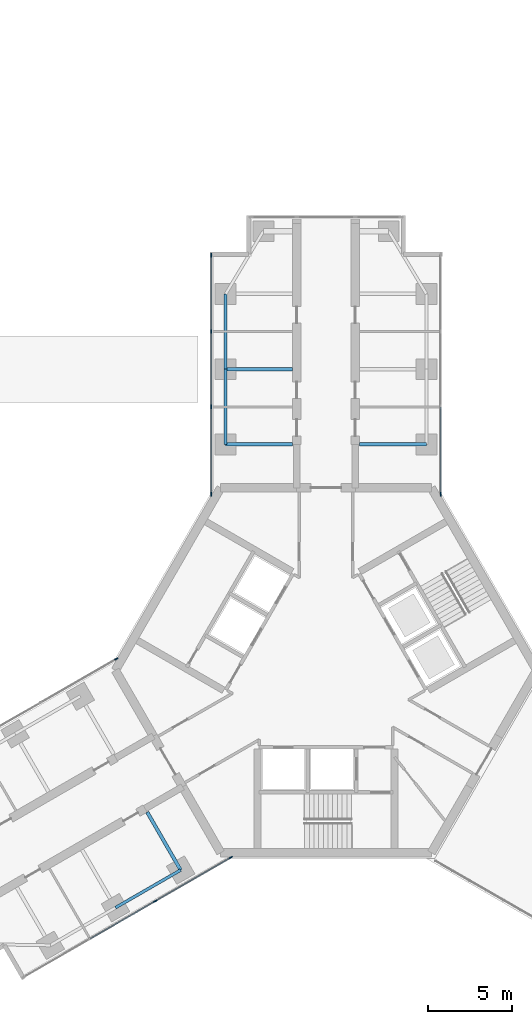
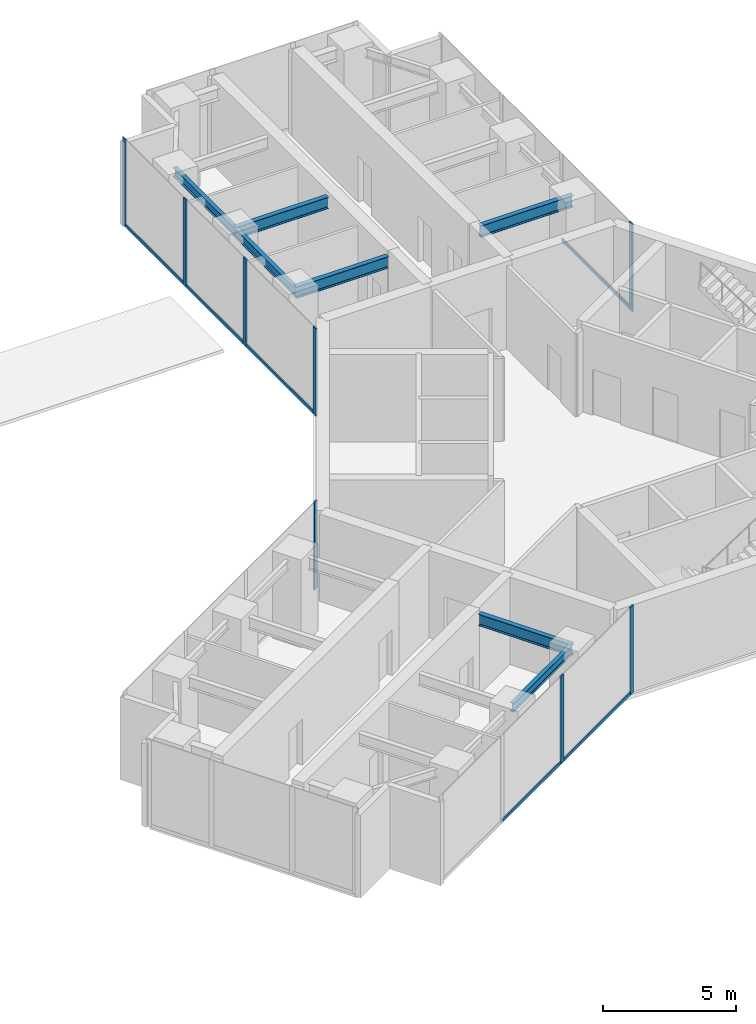
# One storey, part 8 of 18: 14 members, 7 beams, 4 elements without a shape of their own.
"""IFC4 building model written with IfcOpenShell, lengths in metres."""

from ifc_helpers import new_model, si_unit, direction, frame, origin, origin_2d, place, context, subcontext, project, spatial, rectangle, i_section, extrude, material, material_profile, profile_set, type_object, element, aggregate, save


model = new_model("IFC4")

# Units and contexts
model_context = context("Model", 3, precision=1e-05, world=origin(), true_north=direction((0.0, 1.0)))
body_context = subcontext(model_context, "Body", "Model", "MODEL_VIEW")
ifc_project = project(units=[si_unit("LENGTHUNIT", "METRE"), si_unit("AREAUNIT", "SQUARE_METRE"), si_unit("VOLUMEUNIT", "CUBIC_METRE"), si_unit("PLANEANGLEUNIT", "RADIAN"), si_unit("MASSUNIT", "GRAM", prefix="KILO")], contexts=[model_context])

# Site, building, storey
site_placement = place(None, origin())
site = spatial("IfcSite", under=ifc_project, at=site_placement, CompositionType="ELEMENT")
building_placement = place(site_placement, origin())
building = spatial("IfcBuilding", under=site, at=building_placement, Name="Upepo Twin Towers", CompositionType="ELEMENT")
storey_placement = place(building_placement, frame((0.0, 0.0, 170.5)))
storey = spatial("IfcBuildingStorey", under=building, at=storey_placement, Name="L41", CompositionType="ELEMENT", Elevation=170.5)

# Beams
ifc_material_1 = material(Name="Steel S355", Category="steel")
ifc_material_profile_1 = material_profile(ifc_material_1, i_section(OverallWidth=0.177978515625, OverallDepth=0.406494140625, WebThickness=0.0078125, FlangeThickness=0.0126953125, FilletRadius=0.01025390625, at=origin_2d()), Name="UB 406x178x60")
ifc_profile_set_1 = profile_set([ifc_material_profile_1], Name="Steel S355")
beam_type_1 = type_object("IfcBeamType", Name="Beam UB 406x178x60", PredefinedType="BEAM", material=ifc_profile_set_1)
for number, where, z_axis, x_axis, name in (
    (1, (52.5, -4.5, 3.5966796875), (0.0, 1.0, 0.0), (-1.0, 0.0, 0.0), "T2 edge beam AL 13.5-18.0"),
    (2, (52.5, 0.0, 3.5966796875), (0.0, 1.0, 0.0), (-1.0, 0.0, 0.0), "T2 edge beam AL 18.0-22.5"),
):
    element("IfcBeam", number, at=place(storey_placement, frame(where, z_axis=z_axis, x_axis=x_axis)), inside=storey, type_object=beam_type_1, Name=name, PredefinedType="BEAM", context=body_context, shape_type="SweptSolid", body=[
        extrude(i_section(OverallWidth=0.177978515625, OverallDepth=0.406494140625, WebThickness=0.0078125, FlangeThickness=0.0126953125, FilletRadius=0.01025390625, at=origin_2d()), origin(), (0.0, 0.0, 1.0), 4.5),
    ])
beam_placement = place(storey_placement, frame((49.80859375, -29.946044921875, 3.5966796875), z_axis=(-0.866017533419, -0.500013631625, 0.0), x_axis=(0.500013631625, -0.866017533419, 0.0)))
element("IfcBeam", 3, at=beam_placement, inside=storey, type_object=beam_type_1, Name="T2 edge beam BL 13.5-18.0", PredefinedType="BEAM", context=body_context, shape_type="SweptSolid", body=[
    extrude(i_section(OverallWidth=0.177978515625, OverallDepth=0.406494140625, WebThickness=0.0078125, FlangeThickness=0.0126953125, FilletRadius=0.01025390625, at=origin_2d()), origin(), (0.0, 0.0, 1.0), 4.499755859375),
])
ifc_material_2 = material(Name="Steel S355", Category="steel")
ifc_material_profile_2 = material_profile(ifc_material_2, i_section(OverallWidth=0.209228515625, OverallDepth=0.533203125, WebThickness=0.010009765625, FlangeThickness=0.015625, FilletRadius=0.0126953125, at=origin_2d()), Name="UB 533x210x92")
ifc_profile_set_2 = profile_set([ifc_material_profile_2], Name="Steel S355")
beam_type_2 = type_object("IfcBeamType", Name="Beam UB 533x210x92", PredefinedType="BEAM", material=ifc_profile_set_2)
for number, where, z_axis, x_axis, name in (
    (4, (52.5, -4.5, 3.533447265625), (1.0, 0.0, 0.0), (0.0, 1.0, 0.0), "T2 girder AL at 13.5"),
    (5, (52.5, 0.0, 3.533447265625), (1.0, 0.0, 0.0), (0.0, 1.0, 0.0), "T2 girder AL at 18.0"),
    (6, (64.5, -4.5, 3.533447265625), (-1.0, 0.0, 0.0), (0.0, -1.0, 0.0), "T2 girder AR at 13.5"),
    (7, (49.80859375, -29.946044921875, 3.533447265625), (-0.49999894854, 0.866026010844, 0.0), (-0.866026010844, -0.49999894854, 0.0), "T2 girder BL at 13.5"),
):
    element("IfcBeam", number, at=place(storey_placement, frame(where, z_axis=z_axis, x_axis=x_axis)), inside=storey, type_object=beam_type_2, Name=name, PredefinedType="BEAM", context=body_context, shape_type="SweptSolid", body=[
        extrude(i_section(OverallWidth=0.209228515625, OverallDepth=0.533203125, WebThickness=0.010009765625, FlangeThickness=0.015625, FilletRadius=0.0126953125, at=origin_2d()), origin(), (0.0, 0.0, 1.0), 4.0),
    ])

# Curtain wall, members
ifc_material_3 = material(Name="Aluminium and fritted glass", Category="aluminium")
curtain_wall_type = type_object("IfcCurtainWallType", Name="Tower curtain wall TW3, fritted glass", PredefinedType="NOTDEFINED", material=ifc_material_3)
curtain_wall_1_placement = place(storey_placement, origin())
curtain_wall_1 = element("IfcCurtainWall", 8, at=curtain_wall_1_placement, inside=storey, type_object=curtain_wall_type, Name="T2 L41 wing A flank L curtain wall", PredefinedType="NOTDEFINED")
ifc_material_4 = material(Name="Aluminium mullion", Category="aluminium")
ifc_material_profile_3 = material_profile(ifc_material_4, rectangle(XDim=0.06494140625, YDim=0.22509765625, at=origin_2d()), Name="MULLION 65x225")
ifc_profile_set_3 = profile_set([ifc_material_profile_3], Name="Aluminium mullion")
member_type_1 = type_object("IfcMemberType", Name="Mullion 65x225 TW3", PredefinedType="MULLION", material=ifc_profile_set_3)
member_1_placement = place(storey_placement, frame((51.64990234375, -7.48046875, 0.0), z_axis=(0.0, 0.0, 1.0), x_axis=(-1.0, 0.0, 0.0)))
member_1 = element("IfcMember", 9, at=member_1_placement, type_object=member_type_1, Name="T2 L41 wing A flank L curtain wall mullion 1", PredefinedType="MULLION", context=body_context, shape_type="SweptSolid", body=[
    extrude(rectangle(XDim=0.06494140625, YDim=0.22509765625, at=origin_2d()), origin(), (0.0, 0.0, 1.0), 4.0),
])
member_2_placement = place(storey_placement, frame((51.64990234375, -2.25, 0.0), z_axis=(0.0, 0.0, 1.0), x_axis=(-1.0, 0.0, 0.0)))
member_2 = element("IfcMember", 10, at=member_2_placement, type_object=member_type_1, Name="T2 L41 wing A flank L curtain wall mullion 2", PredefinedType="MULLION", context=body_context, shape_type="SweptSolid", body=[
    extrude(rectangle(XDim=0.06494140625, YDim=0.22509765625, at=origin_2d()), origin(), (0.0, 0.0, 1.0), 4.0),
])
member_3_placement = place(storey_placement, frame((51.64990234375, 2.25, 0.0), z_axis=(0.0, 0.0, 1.0), x_axis=(-1.0, 0.0, 0.0)))
member_3 = element("IfcMember", 11, at=member_3_placement, type_object=member_type_1, Name="T2 L41 wing A flank L curtain wall mullion 3", PredefinedType="MULLION", context=body_context, shape_type="SweptSolid", body=[
    extrude(rectangle(XDim=0.06494140625, YDim=0.22509765625, at=origin_2d()), origin(), (0.0, 0.0, 1.0), 4.0),
])
member_4_placement = place(storey_placement, frame((51.64990234375, 6.8173828125, 0.0), z_axis=(0.0, 0.0, 1.0), x_axis=(-1.0, 0.0, 0.0)))
member_4 = element("IfcMember", 12, at=member_4_placement, type_object=member_type_1, Name="T2 L41 wing A flank L curtain wall mullion 4", PredefinedType="MULLION", context=body_context, shape_type="SweptSolid", body=[
    extrude(rectangle(XDim=0.06494140625, YDim=0.22509765625, at=origin_2d()), origin(), (0.0, 0.0, 1.0), 4.0),
])

# Curtain wall, member
curtain_wall_2_placement = place(storey_placement, origin())
curtain_wall_2 = element("IfcCurtainWall", 13, at=curtain_wall_2_placement, inside=storey, type_object=curtain_wall_type, Name="T2 L41 wing A flank R curtain wall", PredefinedType="NOTDEFINED")
member_5_placement = place(storey_placement, frame((65.35009765625, -7.48046875, 0.0), z_axis=(0.0, 0.0, 1.0), x_axis=(1.0, 0.0, 0.0)))
member_5 = element("IfcMember", 14, at=member_5_placement, type_object=member_type_1, Name="T2 L41 wing A flank R curtain wall mullion 4", PredefinedType="MULLION", context=body_context, shape_type="SweptSolid", body=[
    extrude(rectangle(XDim=0.06494140625, YDim=0.22509765625, at=origin_2d()), origin(), (0.0, 0.0, 1.0), 4.0),
])

# Curtain wall, members
curtain_wall_3_placement = place(storey_placement, origin())
curtain_wall_3 = element("IfcCurtainWall", 15, at=curtain_wall_3_placement, inside=storey, type_object=curtain_wall_type, Name="T2 L41 wing B flank L curtain wall", PredefinedType="NOTDEFINED")
member_6_placement = place(storey_placement, frame((52.814697265625, -29.192138671875, 0.0), z_axis=(0.0, 0.0, 1.0), x_axis=(0.500000026527, -0.866025388469, 0.0)))
member_6 = element("IfcMember", 16, at=member_6_placement, type_object=member_type_1, Name="T2 L41 wing B flank L curtain wall mullion 1", PredefinedType="MULLION", context=body_context, shape_type="SweptSolid", body=[
    extrude(rectangle(XDim=0.06494140625, YDim=0.22509765625, at=origin_2d()), origin(), (0.0, 0.0, 1.0), 4.0),
])
member_7_placement = place(storey_placement, frame((48.28515625, -31.807373046875, 0.0), z_axis=(0.0, 0.0, 1.0), x_axis=(0.500000026527, -0.866025388469, 0.0)))
member_7 = element("IfcMember", 17, at=member_7_placement, type_object=member_type_1, Name="T2 L41 wing B flank L curtain wall mullion 2", PredefinedType="MULLION", context=body_context, shape_type="SweptSolid", body=[
    extrude(rectangle(XDim=0.06494140625, YDim=0.22509765625, at=origin_2d()), origin(), (0.0, 0.0, 1.0), 4.0),
])

# Curtain wall, member
curtain_wall_4_placement = place(storey_placement, origin())
curtain_wall_4 = element("IfcCurtainWall", 18, at=curtain_wall_4_placement, inside=storey, type_object=curtain_wall_type, Name="T2 L41 wing B flank R curtain wall", PredefinedType="NOTDEFINED")
member_8_placement = place(storey_placement, frame((45.96484375, -17.32763671875, 0.0), z_axis=(0.0, 0.0, 1.0), x_axis=(-0.500000026527, 0.866025388469, 0.0)))
member_8 = element("IfcMember", 19, at=member_8_placement, type_object=member_type_1, Name="T2 L41 wing B flank R curtain wall mullion 4", PredefinedType="MULLION", context=body_context, shape_type="SweptSolid", body=[
    extrude(rectangle(XDim=0.06494140625, YDim=0.22509765625, at=origin_2d()), origin(), (0.0, 0.0, 1.0), 4.0),
])
aggregate(curtain_wall_4, [member_8])

# Member
ifc_material_5 = material(Name="Aluminium transom", Category="aluminium")
ifc_material_profile_4 = material_profile(ifc_material_5, rectangle(XDim=0.06494140625, YDim=0.14990234375, at=origin_2d()), Name="TRANSOM 65x150")
ifc_profile_set_4 = profile_set([ifc_material_profile_4], Name="Aluminium transom")
member_type_2 = type_object("IfcMemberType", Name="Transom 65x150 TW3", PredefinedType="USERDEFINED", material=ifc_profile_set_4)
member_9_placement = place(storey_placement, frame((51.64990234375, -7.447998046875, 0.074951171875), z_axis=(0.0, 1.0, 0.0), x_axis=(-1.0, 0.0, 0.0)))
member_9 = element("IfcMember", 20, at=member_9_placement, type_object=member_type_2, Name="T2 L41 wing A flank L curtain wall transom 1", ObjectType="TRANSOM", PredefinedType="USERDEFINED", context=body_context, shape_type="SweptSolid", body=[
    extrude(rectangle(XDim=0.06494140625, YDim=0.14990234375, at=origin_2d()), origin(), (0.0, 0.0, 1.0), 5.16552734375),
])

member_10_placement = place(storey_placement, frame((51.64990234375, -2.217529296875, 0.074951171875), z_axis=(0.0, 1.0, 0.0), x_axis=(-1.0, 0.0, 0.0)))
member_10 = element("IfcMember", 21, at=member_10_placement, type_object=member_type_2, Name="T2 L41 wing A flank L curtain wall transom 2", ObjectType="TRANSOM", PredefinedType="USERDEFINED", context=body_context, shape_type="SweptSolid", body=[
    extrude(rectangle(XDim=0.06494140625, YDim=0.14990234375, at=origin_2d()), origin(), (0.0, 0.0, 1.0), 4.43505859375),
])

member_11_placement = place(storey_placement, frame((51.64990234375, 2.282470703125, 0.074951171875), z_axis=(0.0, 1.0, 0.0), x_axis=(-1.0, 0.0, 0.0)))
member_11 = element("IfcMember", 22, at=member_11_placement, type_object=member_type_2, Name="T2 L41 wing A flank L curtain wall transom 3", ObjectType="TRANSOM", PredefinedType="USERDEFINED", context=body_context, shape_type="SweptSolid", body=[
    extrude(rectangle(XDim=0.06494140625, YDim=0.14990234375, at=origin_2d()), origin(), (0.0, 0.0, 1.0), 4.50244140625),
])

aggregate(curtain_wall_1, [member_1, member_2, member_3, member_4, member_9, member_10, member_11])

member_12_placement = place(storey_placement, frame((65.35009765625, -2.282470703125, 0.074951171875), z_axis=(0.0, -1.0, 0.0), x_axis=(1.0, 0.0, 0.0)))
member_12 = element("IfcMember", 23, at=member_12_placement, type_object=member_type_2, Name="T2 L41 wing A flank R curtain wall transom 3", ObjectType="TRANSOM", PredefinedType="USERDEFINED", context=body_context, shape_type="SweptSolid", body=[
    extrude(rectangle(XDim=0.06494140625, YDim=0.14990234375, at=origin_2d()), origin(), (0.0, 0.0, 1.0), 5.16552734375),
])

aggregate(curtain_wall_2, [member_5, member_12])

member_13_placement = place(storey_placement, frame((52.78662109375, -29.208251953125, 0.074951171875), z_axis=(-0.86602108507, -0.500007480159, 0.0), x_axis=(0.500007480159, -0.86602108507, 0.0)))
member_13 = element("IfcMember", 24, at=member_13_placement, type_object=member_type_2, Name="T2 L41 wing B flank L curtain wall transom 1", ObjectType="TRANSOM", PredefinedType="USERDEFINED", context=body_context, shape_type="SweptSolid", body=[
    extrude(rectangle(XDim=0.06494140625, YDim=0.14990234375, at=origin_2d()), origin(), (0.0, 0.0, 1.0), 5.16552734375),
])

member_14_placement = place(storey_placement, frame((48.2568359375, -31.823486328125, 0.074951171875), z_axis=(-0.866022410713, -0.500005184116, 0.0), x_axis=(0.500005184116, -0.866022410713, 0.0)))
member_14 = element("IfcMember", 25, at=member_14_placement, type_object=member_type_2, Name="T2 L41 wing B flank L curtain wall transom 2", ObjectType="TRANSOM", PredefinedType="USERDEFINED", context=body_context, shape_type="SweptSolid", body=[
    extrude(rectangle(XDim=0.06494140625, YDim=0.14990234375, at=origin_2d()), origin(), (0.0, 0.0, 1.0), 4.43505859375),
])

aggregate(curtain_wall_3, [member_6, member_7, member_13, member_14])

save(model, "model.ifc")
